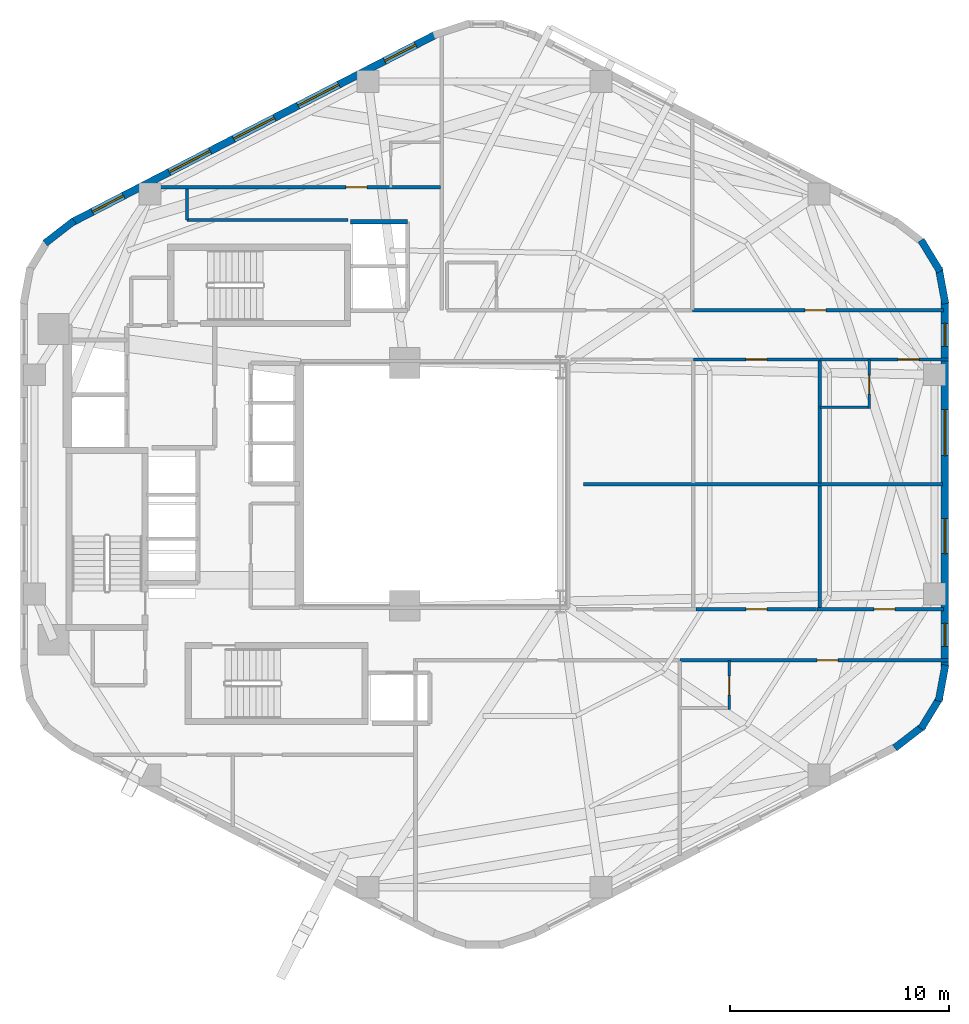
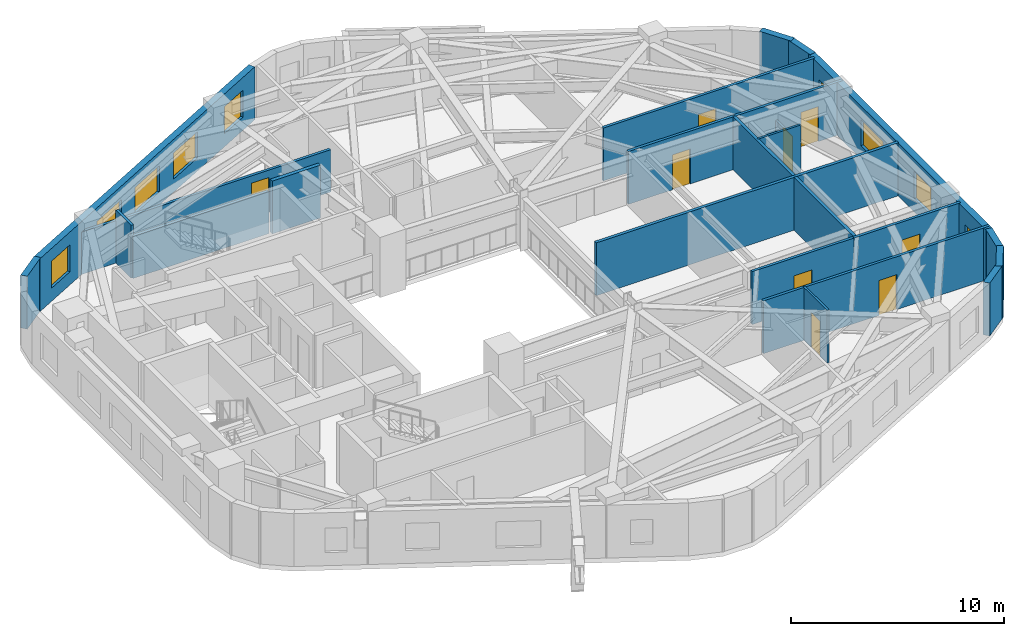
# One storey, part 5 of 7: 24 walls, 9 doors, 9 windows, 18 openings.
"""IFC4 building model written with IfcOpenShell, lengths in metres."""

from ifc_helpers import new_model, si_unit, direction, frame, frame_2d, origin, place, context, subcontext, project, spatial, rectangle, extrude, material, layer, layer_set, type_object, element, fill, save


model = new_model("IFC4")

# Units and contexts
model_context = context("Model", 3, precision=1e-05, world=origin(), true_north=direction((0.0, 1.0)))
body_context = subcontext(model_context, "Body", "Model", "MODEL_VIEW")
ifc_project = project(units=[si_unit("LENGTHUNIT", "METRE"), si_unit("AREAUNIT", "SQUARE_METRE"), si_unit("VOLUMEUNIT", "CUBIC_METRE"), si_unit("PLANEANGLEUNIT", "RADIAN"), si_unit("MASSUNIT", "GRAM", prefix="KILO"), si_unit("THERMODYNAMICTEMPERATUREUNIT", "KELVIN"), si_unit("POWERUNIT", "WATT")], contexts=[model_context])

# Site, building, storey
site_placement = place(None, origin())
site = spatial("IfcSite", under=ifc_project, at=site_placement, CompositionType="ELEMENT")
building_placement = place(site_placement, origin())
building = spatial("IfcBuilding", under=site, at=building_placement, Name="Skarre Station Tower", CompositionType="ELEMENT")
storey_placement = place(building_placement, frame((0.0, 0.0, 160.199951171875)))
storey = spatial("IfcBuildingStorey", under=building, at=storey_placement, Name="L43", CompositionType="ELEMENT", Elevation=160.199951171875)

# Wall, opening, door
ifc_material_1 = material(Name="Acoustic Steel-Stud Gypsum Partition", Category="steel")
ifc_layer_1 = layer(ifc_material_1, 0.14990234375, Name="Acoustic Steel-Stud Gypsum Partition")
ifc_layer_set_1 = layer_set([ifc_layer_1], Name="Acoustic Steel-Stud Gypsum Partition")
wall_type_1 = type_object("IfcWallType", Name="Fire-Rated Corridor Acoustic Partition 150", PredefinedType="PARTITIONING", material=ifc_layer_set_1)
wall_1_placement = place(storey_placement, frame((34.0, 37.580078125, 0.0), z_axis=(0.0, 0.0, 1.0), x_axis=(-1.0, 0.0, 0.0)))
wall_1 = element("IfcWall", 1, at=wall_1_placement, inside=storey, type_object=wall_type_1, Name="L43 Interior Partition WL-PT-L43-NWW1-CW", PredefinedType="PARTITIONING", context=body_context, shape_type="SweptSolid", body=[
    extrude(rectangle(XDim=13.70703125, YDim=0.14990234375, at=frame_2d((6.853515625, 0.0))), origin(), (0.0, 0.0, 1.0), 2.422119140625),
])
opening_1_placement = place(wall_1_placement, frame((3.3701171875, 0.0, 0.0)))
opening_1 = element("IfcOpeningElement", 2, at=opening_1_placement, cuts=wall_1, Name="Opening DR-FD60", PredefinedType="OPENING", context=body_context, shape_type="SweptSolid", body=[
    extrude(rectangle(XDim=0.9599609375, YDim=2.0, at=frame_2d((0.47998046875, 1.0))), frame((0.0, 0.0849609375, 0.0), z_axis=(0.0, -1.0, 0.0), x_axis=(1.0, 0.0, 0.0)), (0.0, 0.0, 1.0), 0.169921875),
])
ifc_material_2 = material(Name="Nordic White-Oak Veneer Solid-Core Fire Leaf", Category="wood")
door_type_1 = type_object("IfcDoorType", Name="Corridor Suite Entry Fire Door FD60 960x2150", OperationType="SINGLE_SWING_LEFT", PredefinedType="DOOR", material=ifc_material_2)
door_1_placement = place(opening_1_placement, origin())
door_1 = element("IfcDoor", 3, at=door_1_placement, inside=storey, type_object=door_type_1, Name="L43 NWW1 Entry Door", OperationType="SINGLE_SWING_LEFT", OverallHeight=2.0, OverallWidth=0.9599609375, PredefinedType="DOOR", context=body_context, shape_type="SweptSolid", body=[
    extrude(rectangle(XDim=0.9599609375, YDim=2.0, at=frame_2d((0.47998046875, 1.0))), frame((0.0, 0.02490234375, 0.0), z_axis=(0.0, -1.0, 0.0), x_axis=(1.0, 0.0, 0.0)), (0.0, 0.0, 1.0), 0.050048828125),
])
fill(opening_1, door_1)

wall_2_placement = place(storey_placement, frame((56.987060546875, 31.9599609375, 0.0), z_axis=(0.0, 0.0, 1.0), x_axis=(-1.0, 0.0, 0.0)))
wall_2 = element("IfcWall", 4, at=wall_2_placement, inside=storey, type_object=wall_type_1, Name="L43 Interior Partition WL-PT-L43-NW2-CW", PredefinedType="PARTITIONING", context=body_context, shape_type="SweptSolid", body=[
    extrude(rectangle(XDim=11.483154296875, YDim=0.14990234375, at=frame_2d((5.74169921875, 0.0))), origin(), (0.0, 0.0, 1.0), 3.030029296875),
])
opening_2_placement = place(wall_2_placement, frame((5.381103515625, 0.0, 0.0)))
opening_2 = element("IfcOpeningElement", 5, at=opening_2_placement, cuts=wall_2, Name="Opening DR-FD60", PredefinedType="OPENING", context=body_context, shape_type="SweptSolid", body=[
    extrude(rectangle(XDim=0.9599609375, YDim=2.0, at=frame_2d((0.47998046875, 1.0))), frame((0.0, 0.0849609375, 0.0), z_axis=(0.0, -1.0, 0.0), x_axis=(1.0, 0.0, 0.0)), (0.0, 0.0, 1.0), 0.169921875),
])
door_2_placement = place(opening_2_placement, origin())
door_2 = element("IfcDoor", 6, at=door_2_placement, inside=storey, type_object=door_type_1, Name="L43 NW2 Entry Door", OperationType="SINGLE_SWING_LEFT", OverallHeight=2.0, OverallWidth=0.9599609375, PredefinedType="DOOR", context=body_context, shape_type="SweptSolid", body=[
    extrude(rectangle(XDim=0.9599609375, YDim=2.0, at=frame_2d((0.47998046875, 1.0))), frame((0.0, 0.02490234375, 0.0), z_axis=(0.0, -1.0, 0.0), x_axis=(1.0, 0.0, 0.0)), (0.0, 0.0, 1.0), 0.050048828125),
])
fill(opening_2, door_2)

wall_3_placement = place(storey_placement, frame((45.56396484375, 29.7099609375, 0.0), z_axis=(0.0, 0.0, 1.0), x_axis=(1.0, 0.0, 0.0)))
wall_3 = element("IfcWall", 7, at=wall_3_placement, inside=storey, type_object=wall_type_1, Name="L43 Interior Partition WL-PT-L43-EWN2-CW", PredefinedType="PARTITIONING", context=body_context, shape_type="SweptSolid", body=[
    extrude(rectangle(XDim=5.739990234375, YDim=0.14990234375, at=frame_2d((2.8701171875, 0.0))), origin(), (0.0, 0.0, 1.0), 3.030029296875),
])
opening_3_placement = place(wall_3_placement, frame((2.389892578125, 0.0, 0.0)))
opening_3 = element("IfcOpeningElement", 8, at=opening_3_placement, cuts=wall_3, Name="Opening DR-FD60", PredefinedType="OPENING", context=body_context, shape_type="SweptSolid", body=[
    extrude(rectangle(XDim=0.9599609375, YDim=2.0, at=frame_2d((0.47998046875, 1.0))), frame((0.0, 0.0849609375, 0.0), z_axis=(0.0, -1.0, 0.0), x_axis=(1.0, 0.0, 0.0)), (0.0, 0.0, 1.0), 0.169921875),
])
door_3_placement = place(opening_3_placement, origin())
door_3 = element("IfcDoor", 9, at=door_3_placement, inside=storey, type_object=door_type_1, Name="L43 EWN2 Entry Door", OperationType="SINGLE_SWING_LEFT", OverallHeight=2.0, OverallWidth=0.9599609375, PredefinedType="DOOR", context=body_context, shape_type="SweptSolid", body=[
    extrude(rectangle(XDim=0.9599609375, YDim=2.0, at=frame_2d((0.47998046875, 1.0))), frame((0.0, 0.02490234375, 0.0), z_axis=(0.0, -1.0, 0.0), x_axis=(1.0, 0.0, 0.0)), (0.0, 0.0, 1.0), 0.050048828125),
])
fill(opening_3, door_3)

wall_4_placement = place(storey_placement, frame((51.333984375, 29.7099609375, 0.0), z_axis=(0.0, 0.0, 1.0), x_axis=(1.0, 0.0, 0.0)))
wall_4 = element("IfcWall", 10, at=wall_4_placement, inside=storey, type_object=wall_type_1, Name="L43 Interior Partition WL-PT-L43-EWN3-CW", PredefinedType="PARTITIONING", context=body_context, shape_type="SweptSolid", body=[
    extrude(rectangle(XDim=5.8740234375, YDim=0.14990234375, at=frame_2d((2.93701171875, 0.0))), origin(), (0.0, 0.0, 1.0), 3.030029296875),
])
opening_4_placement = place(wall_4_placement, frame((3.572021484375, 0.0, 0.0)))
opening_4 = element("IfcOpeningElement", 11, at=opening_4_placement, cuts=wall_4, Name="Opening DR-FD60", PredefinedType="OPENING", context=body_context, shape_type="SweptSolid", body=[
    extrude(rectangle(XDim=0.9599609375, YDim=2.0, at=frame_2d((0.47998046875, 1.0))), frame((0.0, 0.0849609375, 0.0), z_axis=(0.0, -1.0, 0.0), x_axis=(1.0, 0.0, 0.0)), (0.0, 0.0, 1.0), 0.169921875),
])
door_4_placement = place(opening_4_placement, origin())
door_4 = element("IfcDoor", 12, at=door_4_placement, inside=storey, type_object=door_type_1, Name="L43 EWN3 Entry Door", OperationType="SINGLE_SWING_LEFT", OverallHeight=2.0, OverallWidth=0.9599609375, PredefinedType="DOOR", context=body_context, shape_type="SweptSolid", body=[
    extrude(rectangle(XDim=0.9599609375, YDim=2.0, at=frame_2d((0.47998046875, 1.0))), frame((0.0, 0.02490234375, 0.0), z_axis=(0.0, -1.0, 0.0), x_axis=(1.0, 0.0, 0.0)), (0.0, 0.0, 1.0), 0.050048828125),
])
fill(opening_4, door_4)

wall_5_placement = place(storey_placement, frame((51.18896484375, 18.2900390625, 0.0), z_axis=(0.0, 0.0, 1.0), x_axis=(-1.0, 0.0, 0.0)))
wall_5 = element("IfcWall", 13, at=wall_5_placement, inside=storey, type_object=wall_type_1, Name="L43 Interior Partition WL-PT-L43-EWS2-CW", PredefinedType="PARTITIONING", context=body_context, shape_type="SweptSolid", body=[
    extrude(rectangle(XDim=5.510009765625, YDim=0.14990234375, at=frame_2d((2.7548828125, 0.0))), origin(), (0.0, 0.0, 1.0), 3.030029296875),
])
opening_5_placement = place(wall_5_placement, frame((2.27490234375, 0.0, 0.0)))
opening_5 = element("IfcOpeningElement", 14, at=opening_5_placement, cuts=wall_5, Name="Opening DR-FD60", PredefinedType="OPENING", context=body_context, shape_type="SweptSolid", body=[
    extrude(rectangle(XDim=0.9599609375, YDim=2.0, at=frame_2d((0.47998046875, 1.0))), frame((0.0, 0.0849609375, 0.0), z_axis=(0.0, -1.0, 0.0), x_axis=(1.0, 0.0, 0.0)), (0.0, 0.0, 1.0), 0.169921875),
])
door_5_placement = place(opening_5_placement, origin())
door_5 = element("IfcDoor", 15, at=door_5_placement, inside=storey, type_object=door_type_1, Name="L43 EWS2 Entry Door", OperationType="SINGLE_SWING_LEFT", OverallHeight=2.0, OverallWidth=0.9599609375, PredefinedType="DOOR", context=body_context, shape_type="SweptSolid", body=[
    extrude(rectangle(XDim=0.9599609375, YDim=2.0, at=frame_2d((0.47998046875, 1.0))), frame((0.0, 0.02490234375, 0.0), z_axis=(0.0, -1.0, 0.0), x_axis=(1.0, 0.0, 0.0)), (0.0, 0.0, 1.0), 0.050048828125),
])
fill(opening_5, door_5)

wall_6_placement = place(storey_placement, frame((56.988037109375, 18.2900390625, 0.0), z_axis=(0.0, 0.0, 1.0), x_axis=(-1.0, 0.0, 0.0)))
wall_6 = element("IfcWall", 16, at=wall_6_placement, inside=storey, type_object=wall_type_1, Name="L43 Interior Partition WL-PT-L43-EWS3-CW", PredefinedType="PARTITIONING", context=body_context, shape_type="SweptSolid", body=[
    extrude(rectangle(XDim=5.7890625, YDim=0.14990234375, at=frame_2d((2.89453125, 0.0))), origin(), (0.0, 0.0, 1.0), 3.030029296875),
])
opening_6_placement = place(wall_6_placement, frame((2.221923828125, 0.0, 0.0)))
opening_6 = element("IfcOpeningElement", 17, at=opening_6_placement, cuts=wall_6, Name="Opening DR-FD60", PredefinedType="OPENING", context=body_context, shape_type="SweptSolid", body=[
    extrude(rectangle(XDim=0.9599609375, YDim=2.0, at=frame_2d((0.47998046875, 1.0))), frame((0.0, 0.0849609375, 0.0), z_axis=(0.0, -1.0, 0.0), x_axis=(1.0, 0.0, 0.0)), (0.0, 0.0, 1.0), 0.169921875),
])
door_6_placement = place(opening_6_placement, origin())
door_6 = element("IfcDoor", 18, at=door_6_placement, inside=storey, type_object=door_type_1, Name="L43 EWS3 Entry Door", OperationType="SINGLE_SWING_LEFT", OverallHeight=2.0, OverallWidth=0.9599609375, PredefinedType="DOOR", context=body_context, shape_type="SweptSolid", body=[
    extrude(rectangle(XDim=0.9599609375, YDim=2.0, at=frame_2d((0.47998046875, 1.0))), frame((0.0, 0.02490234375, 0.0), z_axis=(0.0, -1.0, 0.0), x_axis=(1.0, 0.0, 0.0)), (0.0, 0.0, 1.0), 0.050048828125),
])
fill(opening_6, door_6)

wall_7_placement = place(storey_placement, frame((44.93701171875, 15.9599609375, 0.0), z_axis=(0.0, 0.0, 1.0), x_axis=(1.0, 0.0, 0.0)))
wall_7 = element("IfcWall", 19, at=wall_7_placement, inside=storey, type_object=wall_type_1, Name="L43 Interior Partition WL-PT-L43-SW2-CW", PredefinedType="PARTITIONING", context=body_context, shape_type="SweptSolid", body=[
    extrude(rectangle(XDim=12.27099609375, YDim=0.14990234375, at=frame_2d((6.135498046875, 0.0))), origin(), (0.0, 0.0, 1.0), 3.030029296875),
])
opening_7_placement = place(wall_7_placement, frame((6.26904296875, 0.0, 0.0)))
opening_7 = element("IfcOpeningElement", 20, at=opening_7_placement, cuts=wall_7, Name="Opening DR-FD60", PredefinedType="OPENING", context=body_context, shape_type="SweptSolid", body=[
    extrude(rectangle(XDim=0.9599609375, YDim=2.0, at=frame_2d((0.47998046875, 1.0))), frame((0.0, 0.0849609375, 0.0), z_axis=(0.0, -1.0, 0.0), x_axis=(1.0, 0.0, 0.0)), (0.0, 0.0, 1.0), 0.169921875),
])
door_7_placement = place(opening_7_placement, origin())
door_7 = element("IfcDoor", 21, at=door_7_placement, inside=storey, type_object=door_type_1, Name="L43 SW2 Entry Door", OperationType="SINGLE_SWING_LEFT", OverallHeight=2.0, OverallWidth=0.9599609375, PredefinedType="DOOR", context=body_context, shape_type="SweptSolid", body=[
    extrude(rectangle(XDim=0.9599609375, YDim=2.0, at=frame_2d((0.47998046875, 1.0))), frame((0.0, 0.02490234375, 0.0), z_axis=(0.0, -1.0, 0.0), x_axis=(1.0, 0.0, 0.0)), (0.0, 0.0, 1.0), 0.050048828125),
])
fill(opening_7, door_7)

# Walls
wall_8_placement = place(storey_placement, frame((29.7529296875, 36.080078125, 0.0), z_axis=(0.0, 0.0, 1.0), x_axis=(-1.0, 0.0, 0.0)))
element("IfcWall", 22, at=wall_8_placement, inside=storey, type_object=wall_type_1, Name="L43 Interior Partition WL-PT-L43-CSEAL-1", PredefinedType="PARTITIONING", context=body_context, shape_type="SweptSolid", body=[
    extrude(rectangle(XDim=7.35302734375, YDim=0.14990234375, at=frame_2d((3.676513671875, 0.0))), origin(), (0.0, 0.0, 1.0), 2.422119140625),
])
wall_9_placement = place(storey_placement, frame((22.39990234375, 36.080078125, 0.0), z_axis=(0.0, 0.0, 1.0), x_axis=(0.0, 1.0, 0.0)))
element("IfcWall", 23, at=wall_9_placement, inside=storey, type_object=wall_type_1, Name="L43 Interior Partition WL-PT-L43-CSEAL-2", PredefinedType="PARTITIONING", context=body_context, shape_type="SweptSolid", body=[
    extrude(rectangle(XDim=1.429931640625, YDim=0.14990234375, at=frame_2d((0.71484375, 0.0))), origin(), (0.0, 0.0, 1.0), 3.030029296875),
])

# Wall, opening, door
ifc_material_3 = material(Name="Insulated Timber-Stud Gypsum Partition", Category="wood")
ifc_layer_2 = layer(ifc_material_3, 0.1201171875, Name="Insulated Timber-Stud Gypsum Partition")
ifc_layer_set_2 = layer_set([ifc_layer_2], Name="Insulated Timber-Stud Gypsum Partition")
wall_type_2 = type_object("IfcWallType", Name="Internal Suite Acoustic Partition 120", PredefinedType="PARTITIONING", material=ifc_layer_set_2)
wall_10_placement = place(storey_placement, frame((53.593994140625, 27.469970703125, 0.0), z_axis=(0.0, 0.0, 1.0), x_axis=(0.0, 1.0, 0.0)))
wall_10 = element("IfcWall", 24, at=wall_10_placement, inside=storey, type_object=wall_type_2, Name="L43 Interior Partition WL-PT-L43-EWN3-EW2", PredefinedType="PARTITIONING", context=body_context, shape_type="SweptSolid", body=[
    extrude(rectangle(XDim=2.239990234375, YDim=0.1201171875, at=frame_2d((1.1201171875, 0.0))), origin(), (0.0, 0.0, 1.0), 2.02197265625),
])
opening_8_placement = place(wall_10_placement, frame((0.64990234375, 0.0, 0.0)))
opening_8 = element("IfcOpeningElement", 25, at=opening_8_placement, cuts=wall_10, Name="Opening DR-INT86", PredefinedType="OPENING", context=body_context, shape_type="SweptSolid", body=[
    extrude(rectangle(XDim=0.860107421875, YDim=2.0, at=frame_2d((0.43017578125, 1.0))), frame((0.0, 0.070068359375, 0.0), z_axis=(0.0, -1.0, 0.0), x_axis=(1.0, 0.0, 0.0)), (0.0, 0.0, 1.0), 0.14013671875),
])
ifc_material_4 = material(Name="Nordic Birch Acoustic Solid-Core Timber Leaf", Category="wood")
door_type_2 = type_object("IfcDoorType", Name="Internal En-Suite & Bedroom Door 860x2100", OperationType="SINGLE_SWING_LEFT", PredefinedType="DOOR", material=ifc_material_4)
door_8_placement = place(opening_8_placement, origin())
door_8 = element("IfcDoor", 26, at=door_8_placement, inside=storey, type_object=door_type_2, Name="L43 EWN3 En-suite Door", OperationType="SINGLE_SWING_RIGHT", OverallHeight=2.0, OverallWidth=0.860107421875, PredefinedType="DOOR", context=body_context, shape_type="SweptSolid", body=[
    extrude(rectangle(XDim=0.860107421875, YDim=2.0, at=frame_2d((0.43017578125, 1.0))), frame((0.0, 0.02490234375, 0.0), z_axis=(0.0, -1.0, 0.0), x_axis=(1.0, 0.0, 0.0)), (0.0, 0.0, 1.0), 0.050048828125),
])
fill(opening_8, door_8)

# Wall
wall_11_placement = place(storey_placement, frame((51.333984375, 27.530029296875, 0.0), z_axis=(0.0, 0.0, 1.0), x_axis=(1.0, 0.0, 0.0)))
element("IfcWall", 27, at=wall_11_placement, inside=storey, type_object=wall_type_2, Name="L43 Interior Partition WL-PT-L43-EWN3-EW1", PredefinedType="PARTITIONING", context=body_context, shape_type="SweptSolid", body=[
    extrude(rectangle(XDim=2.320068359375, YDim=0.1201171875, at=frame_2d((1.16015625, 0.0))), origin(), (0.0, 0.0, 1.0), 3.030029296875),
])

# Wall, opening, door
wall_12_placement = place(storey_placement, frame((47.197021484375, 13.719970703125, 0.0), z_axis=(0.0, 0.0, 1.0), x_axis=(0.0, 1.0, 0.0)))
wall_12 = element("IfcWall", 28, at=wall_12_placement, inside=storey, type_object=wall_type_2, Name="L43 Interior Partition WL-PT-L43-SW2-EW2", PredefinedType="PARTITIONING", context=body_context, shape_type="SweptSolid", body=[
    extrude(rectangle(XDim=2.239990234375, YDim=0.1201171875, at=frame_2d((1.1201171875, 0.0))), origin(), (0.0, 0.0, 1.0), 3.030029296875),
])
opening_9_placement = place(wall_12_placement, frame((0.64990234375, 0.0, 0.0)))
opening_9 = element("IfcOpeningElement", 29, at=opening_9_placement, cuts=wall_12, Name="Opening DR-INT86", PredefinedType="OPENING", context=body_context, shape_type="SweptSolid", body=[
    extrude(rectangle(XDim=0.860107421875, YDim=2.0, at=frame_2d((0.43017578125, 1.0))), frame((0.0, 0.070068359375, 0.0), z_axis=(0.0, -1.0, 0.0), x_axis=(1.0, 0.0, 0.0)), (0.0, 0.0, 1.0), 0.14013671875),
])
door_9_placement = place(opening_9_placement, origin())
door_9 = element("IfcDoor", 30, at=door_9_placement, inside=storey, type_object=door_type_2, Name="L43 SW2 En-suite Door", OperationType="SINGLE_SWING_RIGHT", OverallHeight=2.0, OverallWidth=0.860107421875, PredefinedType="DOOR", context=body_context, shape_type="SweptSolid", body=[
    extrude(rectangle(XDim=0.860107421875, YDim=2.0, at=frame_2d((0.43017578125, 1.0))), frame((0.0, 0.02490234375, 0.0), z_axis=(0.0, -1.0, 0.0), x_axis=(1.0, 0.0, 0.0)), (0.0, 0.0, 1.0), 0.050048828125),
])
fill(opening_9, door_9)

# Wall, openings, windows
ifc_material_5 = material(Name="Precast concrete C45/55", Category="concrete")
ifc_layer_3 = layer(ifc_material_5, 0.340087890625, Name="Precast concrete C45/55")
ifc_layer_set_3 = layer_set([ifc_layer_3], Name="Precast concrete C45/55")
wall_type_3 = type_object("IfcWallType", Name="Nordic Honed Precast Facet Wall 340", PredefinedType="STANDARD", material=ifc_layer_set_3)
wall_13_placement = place(storey_placement, frame((17.1689453125, 35.989990234375, 0.0), z_axis=(0.0, 0.0, 1.0), x_axis=(0.888613612362, 0.458656568606, 0.0)))
wall_13 = element("IfcWall", 31, at=wall_13_placement, inside=storey, type_object=wall_type_3, Name="L43 Facet 1 Nordic Precast Masonry Wall", PredefinedType="STANDARD", context=body_context, shape_type="SweptSolid", body=[
    extrude(rectangle(XDim=18.680908203125, YDim=0.340087890625, at=frame_2d((9.34033203125, 0.0))), origin(), (0.0, 0.0, 1.0), 3.030029296875),
])
opening_10_placement = place(wall_13_placement, frame((1.02294921875, 0.0, 0.75)))
opening_10 = element("IfcOpeningElement", 32, at=opening_10_placement, cuts=wall_13, Name="Opening WN-Z2A", PredefinedType="OPENING", context=body_context, shape_type="SweptSolid", body=[
    extrude(rectangle(XDim=1.60009765625, YDim=1.550048828125, at=frame_2d((0.800048828125, 0.77490234375))), frame((0.0, 0.179931640625, 0.0), z_axis=(0.0, -1.0, 0.0), x_axis=(1.0, 0.0, 0.0)), (0.0, 0.0, 1.0), 0.360107421875),
])
opening_11_placement = place(wall_13_placement, frame((4.98095703125, 0.0, 0.75)))
opening_11 = element("IfcOpeningElement", 33, at=opening_11_placement, cuts=wall_13, Name="Opening WN-Z2B", PredefinedType="OPENING", context=body_context, shape_type="SweptSolid", body=[
    extrude(rectangle(XDim=2.10009765625, YDim=1.5, at=frame_2d((1.050048828125, 0.75))), frame((0.0, 0.179931640625, 0.0), z_axis=(0.0, -1.0, 0.0), x_axis=(1.0, 0.0, 0.0)), (0.0, 0.0, 1.0), 0.360107421875),
])
opening_12_placement = place(wall_13_placement, frame((8.2900390625, 0.0, 0.75)))
opening_12 = element("IfcOpeningElement", 34, at=opening_12_placement, cuts=wall_13, Name="Opening WN-Z2B", PredefinedType="OPENING", context=body_context, shape_type="SweptSolid", body=[
    extrude(rectangle(XDim=2.10009765625, YDim=1.5, at=frame_2d((1.050048828125, 0.75))), frame((0.0, 0.179931640625, 0.0), z_axis=(0.0, -1.0, 0.0), x_axis=(1.0, 0.0, 0.0)), (0.0, 0.0, 1.0), 0.360107421875),
])
opening_13_placement = place(wall_13_placement, frame((11.60009765625, 0.0, 0.75)))
opening_13 = element("IfcOpeningElement", 35, at=opening_13_placement, cuts=wall_13, Name="Opening WN-Z2B", PredefinedType="OPENING", context=body_context, shape_type="SweptSolid", body=[
    extrude(rectangle(XDim=2.10009765625, YDim=1.5, at=frame_2d((1.050048828125, 0.75))), frame((0.0, 0.179931640625, 0.0), z_axis=(0.0, -1.0, 0.0), x_axis=(1.0, 0.0, 0.0)), (0.0, 0.0, 1.0), 0.360107421875),
])
opening_14_placement = place(wall_13_placement, frame((16.05810546875, 0.0, 0.75)))
opening_14 = element("IfcOpeningElement", 36, at=opening_14_placement, cuts=wall_13, Name="Opening WN-Z2A", PredefinedType="OPENING", context=body_context, shape_type="SweptSolid", body=[
    extrude(rectangle(XDim=1.60009765625, YDim=1.550048828125, at=frame_2d((0.800048828125, 0.77490234375))), frame((0.0, 0.179931640625, 0.0), z_axis=(0.0, -1.0, 0.0), x_axis=(1.0, 0.0, 0.0)), (0.0, 0.0, 1.0), 0.360107421875),
])
ifc_material_6 = material(Name="Low-Iron Triple Glazing with Bronze Anodized Frame", Category="glass")
window_type_1 = type_object("IfcWindowType", Name="Nordic Residential Tall Window 1600x1550", PartitioningType="SINGLE_PANEL", PredefinedType="WINDOW", material=ifc_material_6)
window_1_placement = place(opening_10_placement, origin())
window_1 = element("IfcWindow", 37, at=window_1_placement, inside=storey, type_object=window_type_1, Name="L43 Facade Window WL-FAC-L43-F1-1", OverallHeight=1.550048828125, OverallWidth=1.60009765625, PartitioningType="SINGLE_PANEL", PredefinedType="WINDOW", context=body_context, shape_type="SweptSolid", body=[
    extrude(rectangle(XDim=1.60009765625, YDim=1.550048828125, at=frame_2d((0.800048828125, 0.77490234375))), frame((0.0, 0.030029296875, 0.0), z_axis=(0.0, -1.0, 0.0), x_axis=(1.0, 0.0, 0.0)), (0.0, 0.0, 1.0), 0.06005859375),
])
fill(opening_10, window_1)
window_2_placement = place(opening_14_placement, origin())
window_2 = element("IfcWindow", 38, at=window_2_placement, inside=storey, type_object=window_type_1, Name="L43 Facade Window WL-FAC-L43-F1-5", OverallHeight=1.550048828125, OverallWidth=1.60009765625, PartitioningType="SINGLE_PANEL", PredefinedType="WINDOW", context=body_context, shape_type="SweptSolid", body=[
    extrude(rectangle(XDim=1.60009765625, YDim=1.550048828125, at=frame_2d((0.800048828125, 0.77490234375))), frame((0.0, 0.030029296875, 0.0), z_axis=(0.0, -1.0, 0.0), x_axis=(1.0, 0.0, 0.0)), (0.0, 0.0, 1.0), 0.06005859375),
])
fill(opening_14, window_2)
window_type_2 = type_object("IfcWindowType", Name="Nordic Residential Twin Window 2100x1500", PartitioningType="SINGLE_PANEL", PredefinedType="WINDOW", material=ifc_material_6)
window_3_placement = place(opening_11_placement, origin())
window_3 = element("IfcWindow", 39, at=window_3_placement, inside=storey, type_object=window_type_2, Name="L43 Facade Window WL-FAC-L43-F1-2", OverallHeight=1.5, OverallWidth=2.10009765625, PartitioningType="SINGLE_PANEL", PredefinedType="WINDOW", context=body_context, shape_type="SweptSolid", body=[
    extrude(rectangle(XDim=2.10009765625, YDim=1.5, at=frame_2d((1.050048828125, 0.75))), frame((0.0, 0.030029296875, 0.0), z_axis=(0.0, -1.0, 0.0), x_axis=(1.0, 0.0, 0.0)), (0.0, 0.0, 1.0), 0.06005859375),
])
fill(opening_11, window_3)
window_4_placement = place(opening_12_placement, origin())
window_4 = element("IfcWindow", 40, at=window_4_placement, inside=storey, type_object=window_type_2, Name="L43 Facade Window WL-FAC-L43-F1-3", OverallHeight=1.5, OverallWidth=2.10009765625, PartitioningType="SINGLE_PANEL", PredefinedType="WINDOW", context=body_context, shape_type="SweptSolid", body=[
    extrude(rectangle(XDim=2.10009765625, YDim=1.5, at=frame_2d((1.050048828125, 0.75))), frame((0.0, 0.030029296875, 0.0), z_axis=(0.0, -1.0, 0.0), x_axis=(1.0, 0.0, 0.0)), (0.0, 0.0, 1.0), 0.06005859375),
])
fill(opening_12, window_4)
window_5_placement = place(opening_13_placement, origin())
window_5 = element("IfcWindow", 41, at=window_5_placement, inside=storey, type_object=window_type_2, Name="L43 Facade Window WL-FAC-L43-F1-4", OverallHeight=1.5, OverallWidth=2.10009765625, PartitioningType="SINGLE_PANEL", PredefinedType="WINDOW", context=body_context, shape_type="SweptSolid", body=[
    extrude(rectangle(XDim=2.10009765625, YDim=1.5, at=frame_2d((1.050048828125, 0.75))), frame((0.0, 0.030029296875, 0.0), z_axis=(0.0, -1.0, 0.0), x_axis=(1.0, 0.0, 0.0)), (0.0, 0.0, 1.0), 0.06005859375),
])
fill(opening_13, window_5)

wall_14_placement = place(storey_placement, frame((57.048095703125, 32.35205078125, 0.0), z_axis=(0.0, 0.0, 1.0), x_axis=(0.0, -1.0, 0.0)))
wall_14 = element("IfcWall", 42, at=wall_14_placement, inside=storey, type_object=wall_type_3, Name="L43 Facet 5 Nordic Precast Masonry Wall", PredefinedType="STANDARD", context=body_context, shape_type="SweptSolid", body=[
    extrude(rectangle(XDim=16.7041015625, YDim=0.340087890625, at=frame_2d((8.35205078125, 0.0))), origin(), (0.0, 0.0, 1.0), 3.030029296875),
])
opening_15_placement = place(wall_14_placement, frame((0.991943359375, 0.0, 0.75)))
opening_15 = element("IfcOpeningElement", 43, at=opening_15_placement, cuts=wall_14, Name="Opening WN-SLT", PredefinedType="OPENING", context=body_context, shape_type="SweptSolid", body=[
    extrude(rectangle(XDim=1.050048828125, YDim=1.39990234375, at=frame_2d((0.52490234375, 0.699951171875))), frame((0.0, 0.179931640625, 0.0), z_axis=(0.0, -1.0, 0.0), x_axis=(1.0, 0.0, 0.0)), (0.0, 0.0, 1.0), 0.360107421875),
])
opening_16_placement = place(wall_14_placement, frame((4.93505859375, 0.0, 0.75)))
opening_16 = element("IfcOpeningElement", 44, at=opening_16_placement, cuts=wall_14, Name="Opening WN-Z2B", PredefinedType="OPENING", context=body_context, shape_type="SweptSolid", body=[
    extrude(rectangle(XDim=2.10009765625, YDim=1.5, at=frame_2d((1.050048828125, 0.75))), frame((0.0, 0.179931640625, 0.0), z_axis=(0.0, -1.0, 0.0), x_axis=(1.0, 0.0, 0.0)), (0.0, 0.0, 1.0), 0.360107421875),
])
opening_17_placement = place(wall_14_placement, frame((9.9189453125, 0.0, 0.75)))
opening_17 = element("IfcOpeningElement", 45, at=opening_17_placement, cuts=wall_14, Name="Opening WN-Z2A", PredefinedType="OPENING", context=body_context, shape_type="SweptSolid", body=[
    extrude(rectangle(XDim=1.60009765625, YDim=1.550048828125, at=frame_2d((0.800048828125, 0.77490234375))), frame((0.0, 0.179931640625, 0.0), z_axis=(0.0, -1.0, 0.0), x_axis=(1.0, 0.0, 0.0)), (0.0, 0.0, 1.0), 0.360107421875),
])
opening_18_placement = place(wall_14_placement, frame((14.701904296875, 0.0, 0.75)))
opening_18 = element("IfcOpeningElement", 46, at=opening_18_placement, cuts=wall_14, Name="Opening WN-SLT", PredefinedType="OPENING", context=body_context, shape_type="SweptSolid", body=[
    extrude(rectangle(XDim=1.050048828125, YDim=1.39990234375, at=frame_2d((0.52490234375, 0.699951171875))), frame((0.0, 0.179931640625, 0.0), z_axis=(0.0, -1.0, 0.0), x_axis=(1.0, 0.0, 0.0)), (0.0, 0.0, 1.0), 0.360107421875),
])
window_type_3 = type_object("IfcWindowType", Name="Nordic Corner Slot Window 1050x1400", PartitioningType="SINGLE_PANEL", PredefinedType="WINDOW", material=ifc_material_6)
window_6_placement = place(opening_15_placement, origin())
window_6 = element("IfcWindow", 47, at=window_6_placement, inside=storey, type_object=window_type_3, Name="L43 Facade Window WL-FAC-L43-F5-1", OverallHeight=1.39990234375, OverallWidth=1.050048828125, PartitioningType="SINGLE_PANEL", PredefinedType="WINDOW", context=body_context, shape_type="SweptSolid", body=[
    extrude(rectangle(XDim=1.050048828125, YDim=1.39990234375, at=frame_2d((0.52490234375, 0.699951171875))), frame((0.0, 0.030029296875, 0.0), z_axis=(0.0, -1.0, 0.0), x_axis=(1.0, 0.0, 0.0)), (0.0, 0.0, 1.0), 0.06005859375),
])
fill(opening_15, window_6)
window_7_placement = place(opening_18_placement, origin())
window_7 = element("IfcWindow", 48, at=window_7_placement, inside=storey, type_object=window_type_3, Name="L43 Facade Window WL-FAC-L43-F5-4", OverallHeight=1.39990234375, OverallWidth=1.050048828125, PartitioningType="SINGLE_PANEL", PredefinedType="WINDOW", context=body_context, shape_type="SweptSolid", body=[
    extrude(rectangle(XDim=1.050048828125, YDim=1.39990234375, at=frame_2d((0.52490234375, 0.699951171875))), frame((0.0, 0.030029296875, 0.0), z_axis=(0.0, -1.0, 0.0), x_axis=(1.0, 0.0, 0.0)), (0.0, 0.0, 1.0), 0.06005859375),
])
fill(opening_18, window_7)
window_8_placement = place(opening_17_placement, origin())
window_8 = element("IfcWindow", 49, at=window_8_placement, inside=storey, type_object=window_type_1, Name="L43 Facade Window WL-FAC-L43-F5-3", OverallHeight=1.550048828125, OverallWidth=1.60009765625, PartitioningType="SINGLE_PANEL", PredefinedType="WINDOW", context=body_context, shape_type="SweptSolid", body=[
    extrude(rectangle(XDim=1.60009765625, YDim=1.550048828125, at=frame_2d((0.800048828125, 0.77490234375))), frame((0.0, 0.030029296875, 0.0), z_axis=(0.0, -1.0, 0.0), x_axis=(1.0, 0.0, 0.0)), (0.0, 0.0, 1.0), 0.06005859375),
])
fill(opening_17, window_8)
window_9_placement = place(opening_16_placement, origin())
window_9 = element("IfcWindow", 50, at=window_9_placement, inside=storey, type_object=window_type_2, Name="L43 Facade Window WL-FAC-L43-F5-2", OverallHeight=1.5, OverallWidth=2.10009765625, PartitioningType="SINGLE_PANEL", PredefinedType="WINDOW", context=body_context, shape_type="SweptSolid", body=[
    extrude(rectangle(XDim=2.10009765625, YDim=1.5, at=frame_2d((1.050048828125, 0.75))), frame((0.0, 0.030029296875, 0.0), z_axis=(0.0, -1.0, 0.0), x_axis=(1.0, 0.0, 0.0)), (0.0, 0.0, 1.0), 0.06005859375),
])
fill(opening_16, window_9)

# Walls
ifc_layer_4 = layer(ifc_material_5, 0.330078125, Name="Precast concrete C45/55")
ifc_layer_set_4 = layer_set([ifc_layer_4], Name="Precast concrete C45/55")
wall_type_4 = type_object("IfcWallType", Name="Nordic Rounded Corner Precast Wall 330", PredefinedType="STANDARD", material=ifc_layer_set_4)
wall_15_placement = place(storey_placement, frame((55.95703125, 35.1640625, 0.0), z_axis=(0.0, 0.0, 1.0), x_axis=(0.520519429557, -0.853849824883, 0.0)))
element("IfcWall", 51, at=wall_15_placement, inside=storey, type_object=wall_type_4, Name="L43 Rounded Corner Precast Wall F0-2", PredefinedType="STANDARD", context=body_context, shape_type="SweptSolid", body=[
    extrude(rectangle(XDim=1.67724609375, YDim=0.330078125, at=frame_2d((0.838623046875, 0.0))), origin(), (0.0, 0.0, 1.0), 3.030029296875),
])
wall_16_placement = place(storey_placement, frame((56.762939453125, 33.906982421875, 0.0), z_axis=(0.0, 0.0, 1.0), x_axis=(0.181984991895, -0.983301308209, 0.0)))
element("IfcWall", 52, at=wall_16_placement, inside=storey, type_object=wall_type_4, Name="L43 Rounded Corner Precast Wall F0-3", PredefinedType="STANDARD", context=body_context, shape_type="SweptSolid", body=[
    extrude(rectangle(XDim=1.677001953125, YDim=0.330078125, at=frame_2d((0.83837890625, 0.0))), origin(), (0.0, 0.0, 1.0), 3.030029296875),
])
wall_17_placement = place(storey_placement, frame((15.91796875, 35.02392578125, 0.0), z_axis=(0.0, 0.0, 1.0), x_axis=(0.790621329885, 0.612305408053, 0.0)))
element("IfcWall", 53, at=wall_17_placement, inside=storey, type_object=wall_type_4, Name="L43 Rounded Corner Precast Wall F2-3", PredefinedType="STANDARD", context=body_context, shape_type="SweptSolid", body=[
    extrude(rectangle(XDim=1.67578125, YDim=0.330078125, at=frame_2d((0.837890625, 0.0))), origin(), (0.0, 0.0, 1.0), 3.030029296875),
])
wall_18_placement = place(storey_placement, frame((57.068115234375, 15.741943359375, 0.0), z_axis=(0.0, 0.0, 1.0), x_axis=(-0.181984991895, -0.983301308209, 0.0)))
element("IfcWall", 54, at=wall_18_placement, inside=storey, type_object=wall_type_4, Name="L43 Rounded Corner Precast Wall F5-1", PredefinedType="STANDARD", context=body_context, shape_type="SweptSolid", body=[
    extrude(rectangle(XDim=1.677001953125, YDim=0.330078125, at=frame_2d((0.83837890625, 0.0))), origin(), (0.0, 0.0, 1.0), 3.030029296875),
])
wall_19_placement = place(storey_placement, frame((56.830078125, 14.26806640625, 0.0), z_axis=(0.0, 0.0, 1.0), x_axis=(-0.520519429557, -0.853849824883, 0.0)))
element("IfcWall", 55, at=wall_19_placement, inside=storey, type_object=wall_type_4, Name="L43 Rounded Corner Precast Wall F5-2", PredefinedType="STANDARD", context=body_context, shape_type="SweptSolid", body=[
    extrude(rectangle(XDim=1.67724609375, YDim=0.330078125, at=frame_2d((0.838623046875, 0.0))), origin(), (0.0, 0.0, 1.0), 3.030029296875),
])
wall_20_placement = place(storey_placement, frame((56.08203125, 12.97607421875, 0.0), z_axis=(0.0, 0.0, 1.0), x_axis=(-0.790621329885, -0.612305408053, 0.0)))
element("IfcWall", 56, at=wall_20_placement, inside=storey, type_object=wall_type_4, Name="L43 Rounded Corner Precast Wall F5-3", PredefinedType="STANDARD", context=body_context, shape_type="SweptSolid", body=[
    extrude(rectangle(XDim=1.67578125, YDim=0.330078125, at=frame_2d((0.837890625, 0.0))), origin(), (0.0, 0.0, 1.0), 3.030029296875),
])
ifc_material_7 = material(Name="Gypsum Concrete Shaft Assembly C30/37", Category="concrete")
ifc_layer_5 = layer(ifc_material_7, 0.199951171875, Name="Gypsum Concrete Shaft Assembly C30/37")
ifc_layer_set_5 = layer_set([ifc_layer_5], Name="Gypsum Concrete Shaft Assembly C30/37")
wall_type_5 = type_object("IfcWallType", Name="Shaft & Core Fire Partition 200", PredefinedType="PARTITIONING", material=ifc_layer_set_5)
wall_21_placement = place(storey_placement, frame((29.8798828125, 36.0, 0.0), z_axis=(0.0, 0.0, 1.0), x_axis=(1.0, 0.0, 0.0)))
element("IfcWall", 57, at=wall_21_placement, inside=storey, type_object=wall_type_5, Name="L43 Interior Partition WL-PT-L43-EX-N", PredefinedType="PARTITIONING", context=body_context, shape_type="SweptSolid", body=[
    extrude(rectangle(XDim=2.60009765625, YDim=0.199951171875, at=frame_2d((1.300048828125, 0.0))), origin(), (0.0, 0.0, 1.0), 3.030029296875),
])
ifc_layer_6 = layer(ifc_material_1, 0.1650390625, Name="Acoustic Steel-Stud Gypsum Partition")
ifc_layer_set_6 = layer_set([ifc_layer_6], Name="Acoustic Steel-Stud Gypsum Partition")
wall_type_6 = type_object("IfcWallType", Name="Suite Demising Acoustic Partition 165", PredefinedType="PARTITIONING", material=ifc_layer_set_6)
wall_22_placement = place(storey_placement, frame((40.52001953125, 24.0, 0.0), z_axis=(0.0, 0.0, 1.0), x_axis=(1.0, 0.0, 0.0)))
element("IfcWall", 58, at=wall_22_placement, inside=storey, type_object=wall_type_6, Name="L43 Interior Partition WL-PT-L43-EW-Z2MID", PredefinedType="PARTITIONING", context=body_context, shape_type="SweptSolid", body=[
    extrude(rectangle(XDim=16.407958984375, YDim=0.1650390625, at=frame_2d((8.2041015625, 0.0))), origin(), (0.0, 0.0, 1.0), 3.030029296875),
])
for number, where, z_axis, x_axis, name in (
    (59, (51.319091796875, 24.070068359375, 0.0), (0.0, 0.0, 1.0), (0.0, 1.0, 0.0), "L43 Interior Partition WL-PT-L43-EWN-P2"),
    (60, (51.319091796875, 18.2900390625, 0.0), (0.0, 0.0, 1.0), (0.0, 1.0, 0.0), "L43 Interior Partition WL-PT-L43-EWS-P2"),
):
    element("IfcWall", number, at=place(storey_placement, frame(where, z_axis=z_axis, x_axis=x_axis)), inside=storey, type_object=wall_type_6, Name=name, PredefinedType="PARTITIONING", context=body_context, shape_type="SweptSolid", body=[
        extrude(rectangle(XDim=5.639892578125, YDim=0.1650390625, at=frame_2d((2.81982421875, 0.0))), origin(), (0.0, 0.0, 1.0), 3.030029296875),
    ])

save(model, "model.ifc")
